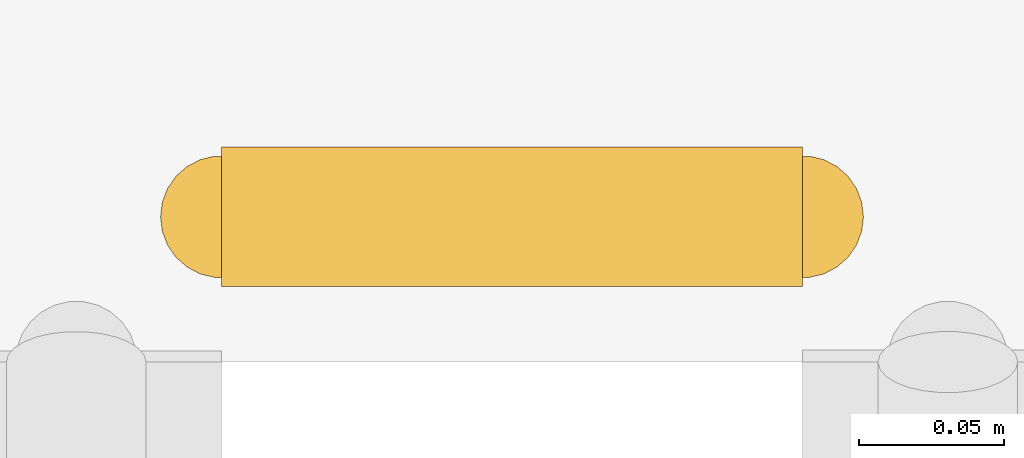
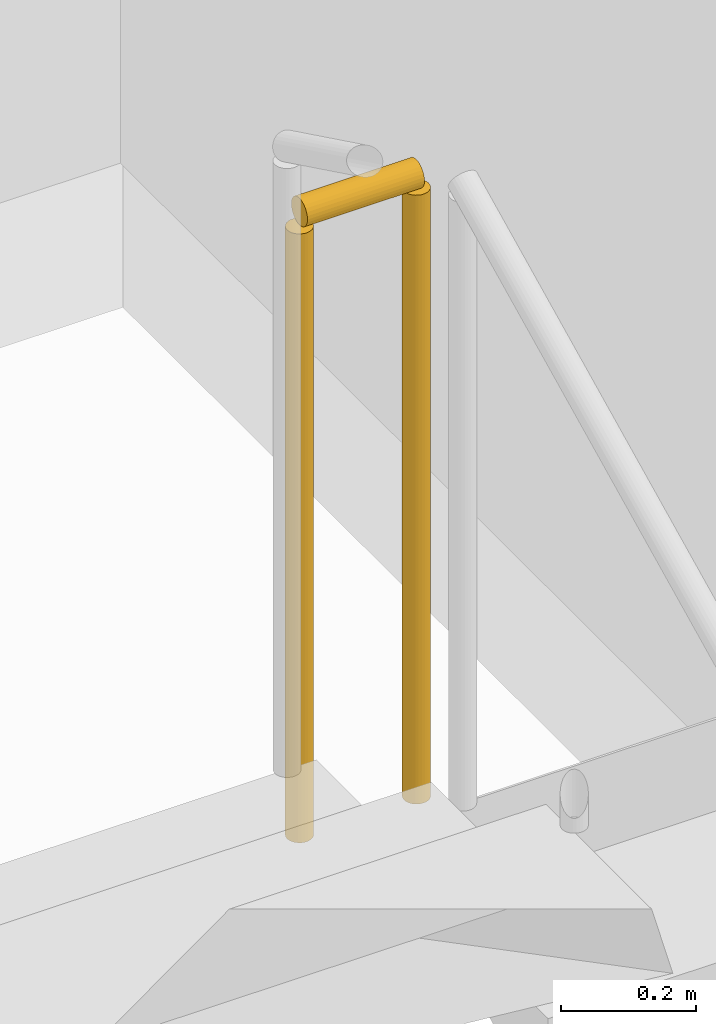
# One storey, part 34 of 35: 1 railing.
"""IFC4 building model written with IfcOpenShell, lengths in metres."""

import ifcopenshell
import ifcopenshell.guid

model = None  # the IFC model being written
_history = None  # IfcOwnerHistory: only IFC2X3 demands one
_inside = {}  # id of a spatial element -> (the spatial element, [elements in it])
_under = {}  # id of a project, library or spatial element -> (it, [spatial elements below it])
_declared = {}  # id of a project -> (the project, [libraries it declares])
_typed = {}  # id of a type object -> (the type object, [elements of that type])
_made_of = {}  # id of a material, layer set ... -> (it, [elements and type objects made of it])


def new_model(schema):
    """Start an empty IFC model of exactly this schema.

    Asked for "IFC4X3", IfcOpenShell would pick the latest addendum, in which some entities
    have other attributes; the version numbers below select the first issue.
    IFC2X3 requires an IfcOwnerHistory on every rooted entity: one is made here for all.
    """
    global model, _history
    if schema == "IFC4X3":
        model = ifcopenshell.file(schema_version=(4, 3, 0, 0))
    else:
        model = ifcopenshell.file(schema=schema)
    _inside.clear()
    _under.clear()
    _declared.clear()
    _typed.clear()
    _made_of.clear()
    _history = None
    if model.schema == "IFC2X3":
        org = make("IfcOrganization", Name="unknown")
        user = make(
            "IfcPersonAndOrganization",
            ThePerson=make("IfcPerson", FamilyName="unknown"),
            TheOrganization=org,
        )
        app = make(
            "IfcApplication",
            ApplicationDeveloper=org,
            Version="unknown",
            ApplicationFullName="unknown",
            ApplicationIdentifier="unknown",
        )
        _history = make(
            "IfcOwnerHistory",
            OwningUser=user,
            OwningApplication=app,
            ChangeAction="ADDED",
            CreationDate=0,
        )
    return model


def make(cls, **values):
    """One entity of the class cls with the attributes given. An attribute that is None is left unset."""
    return model.create_entity(
        cls, **{name: value for name, value in values.items() if value is not None}
    )


def rooted(cls, **values):
    """An entity with a GlobalId (a new one), such as an element, a storey or a relation."""
    return make(cls, GlobalId=ifcopenshell.guid.new(), OwnerHistory=_history, **values)


def si_unit(unit_type, name, prefix=None):
    """IfcSIUnit, for example si_unit("LENGTHUNIT", "METRE", prefix="MILLI")."""
    return make("IfcSIUnit", UnitType=unit_type, Prefix=prefix, Name=name)


def assignment(units):
    """IfcUnitAssignment: the units of a project."""
    return None if units is None else make("IfcUnitAssignment", Units=units)


def point(xyz):
    """IfcCartesianPoint."""
    return None if xyz is None else make("IfcCartesianPoint", Coordinates=xyz)


def direction(xyz):
    """IfcDirection."""
    return None if xyz is None else make("IfcDirection", DirectionRatios=xyz)


def frame(location, z_axis=None, x_axis=None):
    """IfcAxis2Placement3D, a coordinate frame: its origin and axes. An axis left out is left unset."""
    return make(
        "IfcAxis2Placement3D",
        Location=point(location),
        Axis=direction(z_axis),
        RefDirection=direction(x_axis),
    )


def frame_2d(location, x_axis=None):
    """IfcAxis2Placement2D, a coordinate frame in the plane: its origin and x axis."""
    return make(
        "IfcAxis2Placement2D", Location=point(location), RefDirection=direction(x_axis)
    )


def origin():
    """The frame at (0, 0, 0) with its axes left unset."""
    return frame((0.0, 0.0, 0.0))


def origin_2d():
    """The frame at (0, 0) in the plane with its x axis left unset."""
    return frame_2d((0.0, 0.0))


def place(relative_to, where):
    """IfcLocalPlacement: puts the frame where relative to a parent placement (None: the world)."""
    return make(
        "IfcLocalPlacement", PlacementRelTo=relative_to, RelativePlacement=where
    )


def context(
    kind, dimensions, precision=None, world=None, true_north=None, identifier=None
):
    """IfcGeometricRepresentationContext, for example the 3D "Model" context."""
    return make(
        "IfcGeometricRepresentationContext",
        ContextIdentifier=identifier,
        ContextType=kind,
        CoordinateSpaceDimension=dimensions,
        Precision=precision,
        WorldCoordinateSystem=world,
        TrueNorth=true_north,
    )


def subcontext(parent, identifier, kind, view, scale=None):
    """IfcGeometricRepresentationSubContext, for example "Body" below "Model"."""
    return make(
        "IfcGeometricRepresentationSubContext",
        ContextIdentifier=identifier,
        ContextType=kind,
        ParentContext=parent,
        TargetScale=scale,
        TargetView=view,
    )


def project(units=None, contexts=None):
    """IfcProject with its units and contexts."""
    return rooted(
        "IfcProject",
        Name="project",
        RepresentationContexts=contexts,
        UnitsInContext=assignment(units),
    )


def spatial(cls, under=None, at=None, **own):
    """A site, building, storey or space (cls), placed at a placement, below another one or the project."""
    s = rooted(cls, ObjectPlacement=at, **own)
    if under is not None:
        _under.setdefault(under.id(), (under, []))[1].append(s)
    return s


def profile(cls, at=None, kind="AREA", **sizes):
    """A parametric profile (cls). Its sizes go by their IFC names, for example OverallWidth=200.0."""
    return make(cls, ProfileType=kind, Position=at, **sizes)


def circle(**sizes):
    """IfcCircleProfileDef."""
    return profile("IfcCircleProfileDef", **sizes)


def extrude(swept, where, along, depth):
    """IfcExtrudedAreaSolid: the profile swept, set in the frame where, extruded along a direction by depth."""
    return make(
        "IfcExtrudedAreaSolid",
        SweptArea=swept,
        Position=where,
        ExtrudedDirection=direction(along),
        Depth=depth,
    )


def shape(context_of_items, identifier, shape_type, items):
    """IfcShapeRepresentation: the items that make up one representation, for example the "Body"."""
    return make(
        "IfcShapeRepresentation",
        ContextOfItems=context_of_items,
        RepresentationIdentifier=identifier,
        RepresentationType=shape_type,
        Items=items,
    )


def material(Name=None, Category=None):
    """IfcMaterial."""
    return make("IfcMaterial", Name=Name, Category=Category)


def made_of(thing, what):
    """Note that an element or type object is made of a material, layer set ...; save() writes the relation."""
    if what is not None:
        _made_of.setdefault(what.id(), (what, []))[1].append(thing)
    return thing


def type_object(cls, material=None, **own):
    """A type object (cls), such as IfcWallType, which elements share."""
    return made_of(rooted(cls, **own), material)


def element(
    cls,
    number,
    at=None,
    inside=None,
    cuts=None,
    type_object=None,
    material=None,
    context=None,
    identifier="Body",
    shape_type=None,
    held_by="IfcProductDefinitionShape",
    body=None,
    shapes=None,
    **own,
):
    """One element of the class cls, such as IfcWall. Its Tag is "e" and its number.

    at: its placement. inside: the storey or other place that contains it. cuts: it is an
    opening in that element (IfcRelVoidsElement). A single representation is given by context,
    identifier, shape_type and body (its items); several are given by shapes. held_by: the class
    of the entity that holds the representations. save() writes the other relations.
    """
    e = rooted(cls, Tag="e%d" % number, ObjectPlacement=at, **own)
    if body is not None:
        shapes = [shape(context, identifier, shape_type, body)]
    if shapes is not None:
        e.Representation = make(held_by, Representations=shapes)
    if inside is not None:
        _inside.setdefault(inside.id(), (inside, []))[1].append(e)
    if cuts is not None:
        rooted(
            "IfcRelVoidsElement", RelatingBuildingElement=cuts, RelatedOpeningElement=e
        )
    if type_object is not None:
        _typed.setdefault(type_object.id(), (type_object, []))[1].append(e)
    return made_of(e, material)


def aggregate(whole, parts):
    """IfcRelAggregates: a whole, such as a stair, and the parts it consists of."""
    return rooted("IfcRelAggregates", RelatingObject=whole, RelatedObjects=parts)


def save(model, path):
    """Write the relations noted so far, then the file.

    IfcRelAggregates (storeys below a building ...), IfcRelContainedInSpatialStructure (elements
    in a storey), IfcRelDefinesByType, IfcRelAssociatesMaterial and IfcRelDeclares: one each for
    every whole, place, type object, material and project.
    """
    for whole, parts in _under.values():
        aggregate(whole, parts)
    for where, things in _inside.values():
        rooted(
            "IfcRelContainedInSpatialStructure",
            RelatedElements=things,
            RelatingStructure=where,
        )
    for kind, things in _typed.values():
        rooted("IfcRelDefinesByType", RelatedObjects=things, RelatingType=kind)
    for what, things in _made_of.values():
        rooted("IfcRelAssociatesMaterial", RelatedObjects=things, RelatingMaterial=what)
    for by, libraries in _declared.values():
        rooted("IfcRelDeclares", RelatingContext=by, RelatedDefinitions=libraries)
    model.write(path)


model = new_model("IFC4")

# Units and contexts
model_context = context("Model", 3, precision=1e-05, world=origin(), true_north=direction((0.0, 1.0)))
body_context = subcontext(model_context, "Body", "Model", "MODEL_VIEW")
ifc_project = project(units=[si_unit("LENGTHUNIT", "METRE"), si_unit("AREAUNIT", "SQUARE_METRE"), si_unit("VOLUMEUNIT", "CUBIC_METRE"), si_unit("PLANEANGLEUNIT", "RADIAN"), si_unit("MASSUNIT", "GRAM", prefix="KILO")], contexts=[model_context])

# Site, building, storey
site_placement = place(None, origin())
site = spatial("IfcSite", under=ifc_project, at=site_placement, CompositionType="ELEMENT")
building_placement = place(site_placement, origin())
building = spatial("IfcBuilding", under=site, at=building_placement, Name="Nahalor Promenade Grand Hotel", CompositionType="ELEMENT")
storey_placement = place(building_placement, frame((0.0, 0.0, 106.550048828125)))
storey = spatial("IfcBuildingStorey", under=building, at=storey_placement, Name="L26", CompositionType="ELEMENT", Elevation=106.550048828125)

# Railing
ifc_material = material(Name="Steel S355JR", Category="steel")
railing_type = type_object("IfcRailingType", Name="Steel Stair Guardrail 1150 mm", PredefinedType="GUARDRAIL", material=ifc_material)
railing_placement = place(storey_placement, frame((5.699951171875, 11.550048828125, 1.824951171875)))
element("IfcRailing", 1, at=railing_placement, inside=storey, type_object=railing_type, Name="L26 ST1 stair guard 2", PredefinedType="GUARDRAIL", context=body_context, shape_type="SweptSolid", body=[
    extrude(circle(Radius=0.024048, at=origin_2d()), frame((0.0, 0.0, 1.1259765625), z_axis=(-1.0, 0.0, 0.0), x_axis=(0.0, -1.0, 0.0)), (0.0, 0.0, 1.0), 0.199951171875),
    extrude(circle(Radius=0.020996, at=origin_2d()), origin(), (0.0, 0.0, 1.0), 1.099853515625),
    extrude(circle(Radius=0.020996, at=origin_2d()), frame((-0.199951171875, 0.0, 0.0)), (0.0, 0.0, 1.0), 1.099853515625),
])

save(model, "model.ifc")
